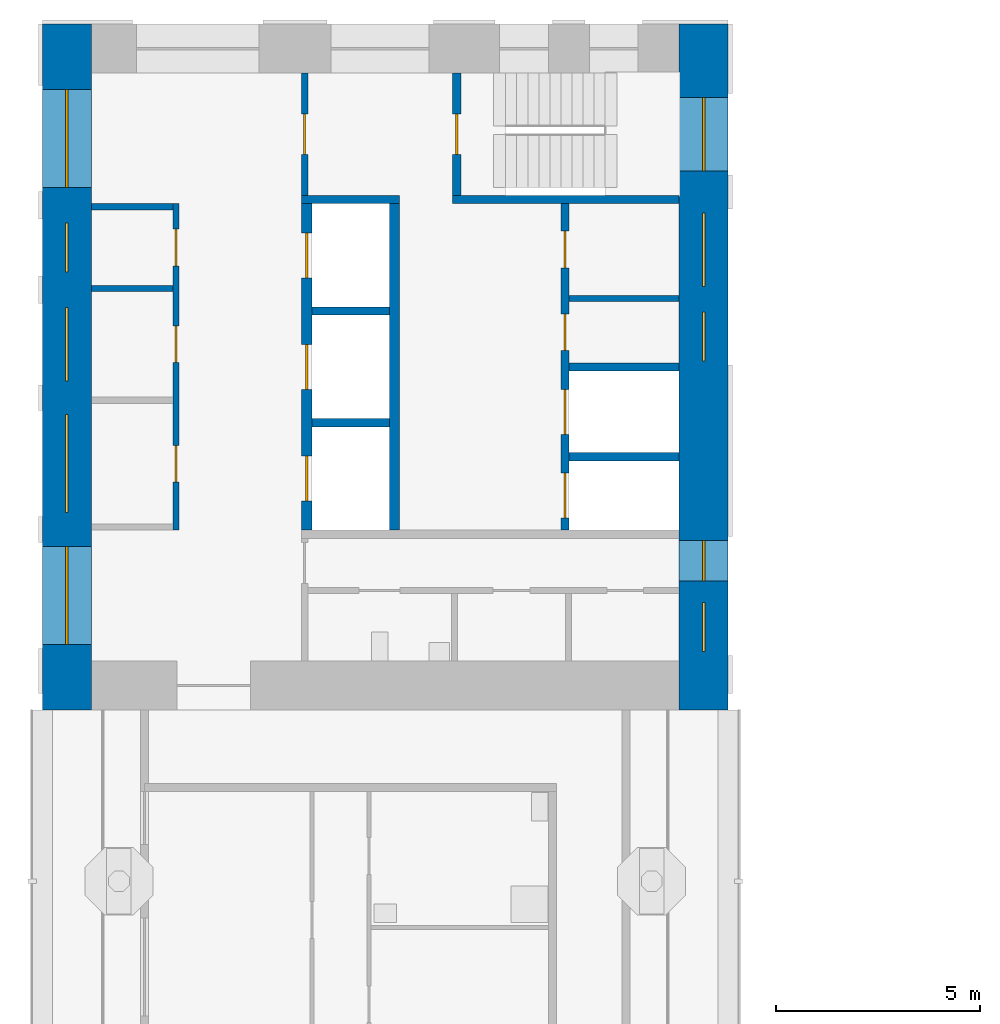
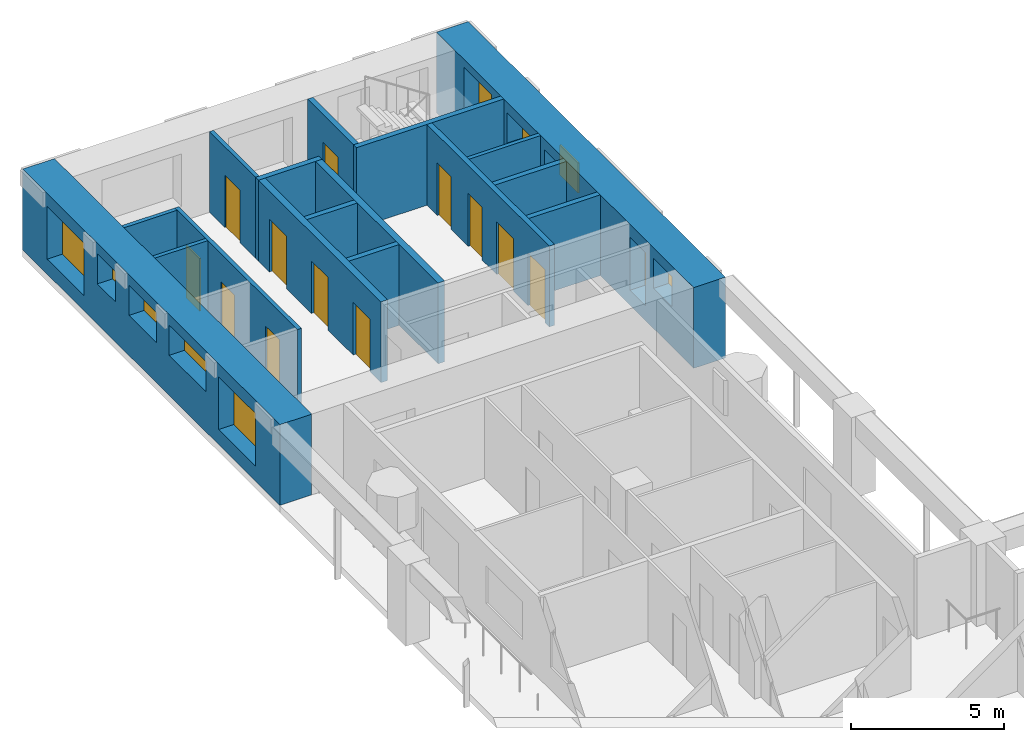
# One storey, part 6 of 13: 17 walls, 12 doors, 10 windows, 22 openings.
"""IFC4 building model written with IfcOpenShell, lengths in metres."""

from ifc_helpers import new_model, si_unit, direction, frame, frame_2d, origin, place, context, subcontext, project, spatial, rectangle, extrude, material, layer, layer_set, type_object, element, fill, save


model = new_model("IFC4")

# Units and contexts
model_context = context("Model", 3, precision=1e-05, world=origin(), true_north=direction((0.0, 1.0)))
body_context = subcontext(model_context, "Body", "Model", "MODEL_VIEW")
ifc_project = project(units=[si_unit("LENGTHUNIT", "METRE"), si_unit("AREAUNIT", "SQUARE_METRE"), si_unit("VOLUMEUNIT", "CUBIC_METRE"), si_unit("PLANEANGLEUNIT", "RADIAN"), si_unit("MASSUNIT", "GRAM", prefix="KILO")], contexts=[model_context])

# Site, building, storey
site_placement = place(None, origin())
site = spatial("IfcSite", under=ifc_project, at=site_placement, CompositionType="ELEMENT")
building_placement = place(site_placement, origin())
building = spatial("IfcBuilding", under=site, at=building_placement, Name="Vermilion Gate Residences", CompositionType="ELEMENT")
storey_placement = place(building_placement, frame((0.0, 0.0, 154.699951171875)))
storey = spatial("IfcBuildingStorey", under=building, at=storey_placement, Name="L39", CompositionType="ELEMENT", Elevation=154.699951171875)

# Walls
ifc_material_1 = material(Name="Masonry blockwork", Category="masonry")
ifc_layer_1 = layer(ifc_material_1, 0.14990234375)
ifc_layer_set_1 = layer_set([ifc_layer_1], Name="BLOCKWORK PARTITION 150 EI 120")
wall_type_1 = type_object("IfcWallType", Name="BLOCKWORK PARTITION 150 EI 120", PredefinedType="PARTITIONING", material=ifc_layer_set_1)
for number, where, z_axis, x_axis, name in (
    (1, (9.60009765625, 54.324951171875, 0.0), (0.0, 0.0, 1.0), (1.0, 0.0, 0.0), "Core room partition B39-RW-W"),
    (2, (9.60009765625, 52.324951171875, 0.0), (0.0, 0.0, 1.0), (1.0, 0.0, 0.0), "Core room partition B39-SR-P0"),
):
    element("IfcWall", number, at=place(storey_placement, frame(where, z_axis=z_axis, x_axis=x_axis)), inside=storey, type_object=wall_type_1, Name=name, PredefinedType="PARTITIONING", context=body_context, shape_type="SweptSolid", body=[
        extrude(rectangle(XDim=2.0, YDim=0.14990234375, at=frame_2d((1.0, 0.0))), origin(), (0.0, 0.0, 1.0), 3.219970703125),
    ])

# Wall, openings, doors
wall_1_placement = place(storey_placement, frame((11.675048828125, 54.39990234375, 0.0), z_axis=(0.0, 0.0, 1.0), x_axis=(0.0, -1.0, 0.0)))
wall_1 = element("IfcWall", 3, at=wall_1_placement, inside=storey, type_object=wall_type_1, Name="Core room partition B39-LR-F", PredefinedType="PARTITIONING", context=body_context, shape_type="SweptSolid", body=[
    extrude(rectangle(XDim=8.0, YDim=0.14990234375, at=frame_2d((4.0, 0.0))), origin(), (0.0, 0.0, 1.0), 3.219970703125),
])
opening_1_placement = place(wall_1_placement, frame((0.625, 0.0, 0.0)))
opening_1 = element("IfcOpeningElement", 4, at=opening_1_placement, cuts=wall_1, Name="Opening DK39102", PredefinedType="OPENING", context=body_context, shape_type="SweptSolid", body=[
    extrude(rectangle(XDim=0.89990234375, YDim=2.10009765625, at=frame_2d((0.449951171875, 1.050048828125))), frame((0.0, 0.0849609375, 0.0), z_axis=(0.0, -1.0, 0.0), x_axis=(1.0, 0.0, 0.0)), (0.0, 0.0, 1.0), 0.169921875),
])
opening_2_placement = place(wall_1_placement, frame((2.9951171875, 0.0, 0.0)))
opening_2 = element("IfcOpeningElement", 5, at=opening_2_placement, cuts=wall_1, Name="Opening DK39103", PredefinedType="OPENING", context=body_context, shape_type="SweptSolid", body=[
    extrude(rectangle(XDim=0.89990234375, YDim=2.10009765625, at=frame_2d((0.449951171875, 1.050048828125))), frame((0.0, 0.0849609375, 0.0), z_axis=(0.0, -1.0, 0.0), x_axis=(1.0, 0.0, 0.0)), (0.0, 0.0, 1.0), 0.169921875),
])
opening_3_placement = place(wall_1_placement, frame((5.919921875, 0.0, 0.0)))
opening_3 = element("IfcOpeningElement", 6, at=opening_3_placement, cuts=wall_1, Name="Opening DK39104", PredefinedType="OPENING", context=body_context, shape_type="SweptSolid", body=[
    extrude(rectangle(XDim=0.89990234375, YDim=2.10009765625, at=frame_2d((0.449951171875, 1.050048828125))), frame((0.0, 0.0849609375, 0.0), z_axis=(0.0, -1.0, 0.0), x_axis=(1.0, 0.0, 0.0)), (0.0, 0.0, 1.0), 0.169921875),
])
ifc_material_2 = material(Name="Steel", Category="steel")
door_type_1 = type_object("IfcDoorType", Name="SERVICE ROOM DOOR FD60 900 X 2100", OperationType="SINGLE_SWING_LEFT", PredefinedType="DOOR", material=ifc_material_2)
door_1_placement = place(opening_1_placement, origin())
door_1 = element("IfcDoor", 7, at=door_1_placement, inside=storey, type_object=door_type_1, Name="Electrical room B39", OperationType="SINGLE_SWING_LEFT", OverallHeight=2.10009765625, OverallWidth=0.89990234375, PredefinedType="DOOR", context=body_context, shape_type="SweptSolid", body=[
    extrude(rectangle(XDim=0.89990234375, YDim=2.10009765625, at=frame_2d((0.449951171875, 1.050048828125))), frame((0.0, 0.02490234375, 0.0), z_axis=(0.0, -1.0, 0.0), x_axis=(1.0, 0.0, 0.0)), (0.0, 0.0, 1.0), 0.050048828125),
])
fill(opening_1, door_1)
door_2_placement = place(opening_2_placement, frame((0.89990234375, 0.0, 0.0), z_axis=(0.0, 0.0, 1.0), x_axis=(-1.0, 0.0, 0.0)))
door_2 = element("IfcDoor", 8, at=door_2_placement, inside=storey, type_object=door_type_1, Name="Communications room B39", OperationType="SINGLE_SWING_LEFT", OverallHeight=2.10009765625, OverallWidth=0.89990234375, PredefinedType="DOOR", context=body_context, shape_type="SweptSolid", body=[
    extrude(rectangle(XDim=0.89990234375, YDim=2.10009765625, at=frame_2d((0.449951171875, 1.050048828125))), frame((0.0, 0.02490234375, 0.0), z_axis=(0.0, -1.0, 0.0), x_axis=(1.0, 0.0, 0.0)), (0.0, 0.0, 1.0), 0.050048828125),
])
fill(opening_2, door_2)
door_3_placement = place(opening_3_placement, frame((0.89990234375, 0.0, 0.0), z_axis=(0.0, 0.0, 1.0), x_axis=(-1.0, 0.0, 0.0)))
door_3 = element("IfcDoor", 9, at=door_3_placement, inside=storey, type_object=door_type_1, Name="Refuse room B39", OperationType="SINGLE_SWING_LEFT", OverallHeight=2.10009765625, OverallWidth=0.89990234375, PredefinedType="DOOR", context=body_context, shape_type="SweptSolid", body=[
    extrude(rectangle(XDim=0.89990234375, YDim=2.10009765625, at=frame_2d((0.449951171875, 1.050048828125))), frame((0.0, 0.02490234375, 0.0), z_axis=(0.0, -1.0, 0.0), x_axis=(1.0, 0.0, 0.0)), (0.0, 0.0, 1.0), 0.050048828125),
])
fill(opening_3, door_3)

# Wall
wall_2_placement = place(storey_placement, frame((21.300048828125, 52.074951171875, 0.0), z_axis=(0.0, 0.0, 1.0), x_axis=(1.0, 0.0, 0.0)))
element("IfcWall", 10, at=wall_2_placement, inside=storey, type_object=wall_type_1, Name="Core room partition B39-NR-P0", PredefinedType="PARTITIONING", context=body_context, shape_type="SweptSolid", body=[
    extrude(rectangle(XDim=2.699951171875, YDim=0.14990234375, at=frame_2d((1.35009765625, 0.0))), origin(), (0.0, 0.0, 1.0), 3.219970703125),
])

# Wall, opening, door
wall_3_placement = place(storey_placement, frame((14.824951171875, 57.60009765625, 0.0), z_axis=(0.0, 0.0, 1.0), x_axis=(0.0, -1.0, 0.0)))
wall_3 = element("IfcWall", 11, at=wall_3_placement, inside=storey, type_object=wall_type_1, Name="Core room partition B39-VW-S", PredefinedType="PARTITIONING", context=body_context, shape_type="SweptSolid", body=[
    extrude(rectangle(XDim=3.0, YDim=0.14990234375, at=frame_2d((1.5, 0.0))), origin(), (0.0, 0.0, 1.0), 3.219970703125),
])
opening_4_placement = place(wall_3_placement, frame((1.0, 0.0, 0.0)))
opening_4 = element("IfcOpeningElement", 12, at=opening_4_placement, cuts=wall_3, Name="Opening DK39112", PredefinedType="OPENING", context=body_context, shape_type="SweptSolid", body=[
    extrude(rectangle(XDim=1.0, YDim=2.10009765625, at=frame_2d((0.5, 1.050048828125))), frame((0.0, 0.0849609375, 0.0), z_axis=(0.0, -1.0, 0.0), x_axis=(1.0, 0.0, 0.0)), (0.0, 0.0, 1.0), 0.169921875),
])
ifc_material_3 = material(Name="Steel", Category="steel")
door_type_2 = type_object("IfcDoorType", Name="FIRE DOOR FD60 1000 X 2100", OperationType="SINGLE_SWING_LEFT", PredefinedType="DOOR", material=ifc_material_3)
door_4_placement = place(opening_4_placement, frame((1.0, 0.0, 0.0), z_axis=(0.0, 0.0, 1.0), x_axis=(-1.0, 0.0, 0.0)))
door_4 = element("IfcDoor", 13, at=door_4_placement, inside=storey, type_object=door_type_2, Name="Stair vestibule door B39", OperationType="SINGLE_SWING_RIGHT", OverallHeight=2.10009765625, OverallWidth=1.0, PredefinedType="DOOR", context=body_context, shape_type="SweptSolid", body=[
    extrude(rectangle(XDim=1.0, YDim=2.10009765625, at=frame_2d((0.5, 1.050048828125))), frame((0.0, 0.02490234375, 0.0), z_axis=(0.0, -1.0, 0.0), x_axis=(1.0, 0.0, 0.0)), (0.0, 0.0, 1.0), 0.050048828125),
])
fill(opening_4, door_4)

# Walls
ifc_material_4 = material(Name="Concrete C60", Category="concrete")
ifc_layer_2 = layer(ifc_material_4, 0.199951171875)
ifc_layer_set_2 = layer_set([ifc_layer_2], Name="RC CORE INTERNAL WALL 200 C60")
wall_type_2 = type_object("IfcWallType", Name="RC CORE INTERNAL WALL 200 C60", PredefinedType="SHEAR", material=ifc_layer_set_2)
for number, where, z_axis, x_axis, name in (
    (14, (15.0, 51.7666015625, 0.0), (0.0, 0.0, 1.0), (1.0, 0.0, 0.0), "Core internal wall B39-HR-D1"),
    (15, (15.0, 49.033447265625, 0.0), (0.0, 0.0, 1.0), (1.0, 0.0, 0.0), "Core internal wall B39-HR-D2"),
):
    element("IfcWall", number, at=place(storey_placement, frame(where, z_axis=z_axis, x_axis=x_axis)), inside=storey, type_object=wall_type_2, Name=name, PredefinedType="SHEAR", context=body_context, shape_type="SweptSolid", body=[
        extrude(rectangle(XDim=1.89990234375, YDim=0.199951171875, at=frame_2d((0.949951171875, 0.0))), origin(), (0.0, 0.0, 1.0), 3.219970703125),
    ])
for number, where, z_axis, x_axis, name in (
    (16, (21.300048828125, 50.39990234375, 0.0), (0.0, 0.0, 1.0), (1.0, 0.0, 0.0), "Core internal wall B39-FF-D0"),
    (17, (21.300048828125, 48.199951171875, 0.0), (0.0, 0.0, 1.0), (1.0, 0.0, 0.0), "Core internal wall B39-FF-D1"),
):
    element("IfcWall", number, at=place(storey_placement, frame(where, z_axis=z_axis, x_axis=x_axis)), inside=storey, type_object=wall_type_2, Name=name, PredefinedType="SHEAR", context=body_context, shape_type="SweptSolid", body=[
        extrude(rectangle(XDim=2.699951171875, YDim=0.199951171875, at=frame_2d((1.35009765625, 0.0))), origin(), (0.0, 0.0, 1.0), 3.219970703125),
    ])

# Wall, openings, doors
wall_4_placement = place(storey_placement, frame((21.199951171875, 54.39990234375, 0.0), z_axis=(0.0, 0.0, 1.0), x_axis=(0.0, -1.0, 0.0)))
wall_4 = element("IfcWall", 18, at=wall_4_placement, inside=storey, type_object=wall_type_2, Name="Core internal wall B39-FF-F", PredefinedType="SHEAR", context=body_context, shape_type="SweptSolid", body=[
    extrude(rectangle(XDim=8.0, YDim=0.199951171875, at=frame_2d((4.0, 0.0))), origin(), (0.0, 0.0, 1.0), 3.219970703125),
])
opening_5_placement = place(wall_4_placement, frame((0.675048828125, 0.0, 0.0)))
opening_5 = element("IfcOpeningElement", 19, at=opening_5_placement, cuts=wall_4, Name="Opening DK39108", PredefinedType="OPENING", context=body_context, shape_type="SweptSolid", body=[
    extrude(rectangle(XDim=0.89990234375, YDim=2.10009765625, at=frame_2d((0.449951171875, 1.050048828125))), frame((0.0, 0.10986328125, 0.0), z_axis=(0.0, -1.0, 0.0), x_axis=(1.0, 0.0, 0.0)), (0.0, 0.0, 1.0), 0.219970703125),
])
opening_6_placement = place(wall_4_placement, frame((2.699951171875, 0.0, 0.0)))
opening_6 = element("IfcOpeningElement", 20, at=opening_6_placement, cuts=wall_4, Name="Opening DK39109", PredefinedType="OPENING", context=body_context, shape_type="SweptSolid", body=[
    extrude(rectangle(XDim=0.89990234375, YDim=2.10009765625, at=frame_2d((0.449951171875, 1.050048828125))), frame((0.0, 0.10986328125, 0.0), z_axis=(0.0, -1.0, 0.0), x_axis=(1.0, 0.0, 0.0)), (0.0, 0.0, 1.0), 0.219970703125),
])
opening_7_placement = place(wall_4_placement, frame((4.550048828125, 0.0, 0.0)))
opening_7 = element("IfcOpeningElement", 21, at=opening_7_placement, cuts=wall_4, Name="Opening LD", PredefinedType="OPENING", context=body_context, shape_type="SweptSolid", body=[
    extrude(rectangle(XDim=1.10009765625, YDim=2.10009765625, at=frame_2d((0.550048828125, 1.050048828125))), frame((0.0, 0.10986328125, 0.0), z_axis=(0.0, -1.0, 0.0), x_axis=(1.0, 0.0, 0.0)), (0.0, 0.0, 1.0), 0.219970703125),
])
opening_8_placement = place(wall_4_placement, frame((6.60009765625, 0.0, 0.0)))
opening_8 = element("IfcOpeningElement", 22, at=opening_8_placement, cuts=wall_4, Name="Opening LD", PredefinedType="OPENING", context=body_context, shape_type="SweptSolid", body=[
    extrude(rectangle(XDim=1.10009765625, YDim=2.10009765625, at=frame_2d((0.550048828125, 1.050048828125))), frame((0.0, 0.10986328125, 0.0), z_axis=(0.0, -1.0, 0.0), x_axis=(1.0, 0.0, 0.0)), (0.0, 0.0, 1.0), 0.219970703125),
])
ifc_material_5 = material(Name="Stainless steel", Category="steel")
door_type_3 = type_object("IfcDoorType", Name="LIFT LANDING DOOR E60 1100 X 2100", OperationType="DOUBLE_DOOR_SLIDING", PredefinedType="DOOR", material=ifc_material_5)
door_5_placement = place(opening_7_placement, origin())
door_5 = element("IfcDoor", 23, at=door_5_placement, inside=storey, type_object=door_type_3, Name="Lift landing door LFB1", OperationType="DOUBLE_DOOR_SLIDING", OverallHeight=2.10009765625, OverallWidth=1.10009765625, PredefinedType="DOOR", context=body_context, shape_type="SweptSolid", body=[
    extrude(rectangle(XDim=1.10009765625, YDim=2.10009765625, at=frame_2d((0.550048828125, 1.050048828125))), frame((0.0, 0.02490234375, 0.0), z_axis=(0.0, -1.0, 0.0), x_axis=(1.0, 0.0, 0.0)), (0.0, 0.0, 1.0), 0.050048828125),
])
fill(opening_7, door_5)
door_6_placement = place(opening_8_placement, origin())
door_6 = element("IfcDoor", 24, at=door_6_placement, inside=storey, type_object=door_type_3, Name="Lift landing door LCB1", OperationType="DOUBLE_DOOR_SLIDING", OverallHeight=2.10009765625, OverallWidth=1.10009765625, PredefinedType="DOOR", context=body_context, shape_type="SweptSolid", body=[
    extrude(rectangle(XDim=1.10009765625, YDim=2.10009765625, at=frame_2d((0.550048828125, 1.050048828125))), frame((0.0, 0.02490234375, 0.0), z_axis=(0.0, -1.0, 0.0), x_axis=(1.0, 0.0, 0.0)), (0.0, 0.0, 1.0), 0.050048828125),
])
fill(opening_8, door_6)
door_7_placement = place(opening_5_placement, origin())
door_7 = element("IfcDoor", 25, at=door_7_placement, inside=storey, type_object=door_type_1, Name="Electrical riser B39", OperationType="SINGLE_SWING_RIGHT", OverallHeight=2.10009765625, OverallWidth=0.89990234375, PredefinedType="DOOR", context=body_context, shape_type="SweptSolid", body=[
    extrude(rectangle(XDim=0.89990234375, YDim=2.10009765625, at=frame_2d((0.449951171875, 1.050048828125))), frame((0.0, 0.02490234375, 0.0), z_axis=(0.0, -1.0, 0.0), x_axis=(1.0, 0.0, 0.0)), (0.0, 0.0, 1.0), 0.050048828125),
])
fill(opening_5, door_7)
door_8_placement = place(opening_6_placement, origin())
door_8 = element("IfcDoor", 26, at=door_8_placement, inside=storey, type_object=door_type_1, Name="Cleaner's store B39", OperationType="SINGLE_SWING_RIGHT", OverallHeight=2.10009765625, OverallWidth=0.89990234375, PredefinedType="DOOR", context=body_context, shape_type="SweptSolid", body=[
    extrude(rectangle(XDim=0.89990234375, YDim=2.10009765625, at=frame_2d((0.449951171875, 1.050048828125))), frame((0.0, 0.02490234375, 0.0), z_axis=(0.0, -1.0, 0.0), x_axis=(1.0, 0.0, 0.0)), (0.0, 0.0, 1.0), 0.050048828125),
])
fill(opening_6, door_8)

# Walls
wall_5_placement = place(storey_placement, frame((14.75, 54.5, 0.0), z_axis=(0.0, 0.0, 1.0), x_axis=(1.0, 0.0, 0.0)))
element("IfcWall", 27, at=wall_5_placement, inside=storey, type_object=wall_type_2, Name="Core internal wall B39-WDIV1", PredefinedType="SHEAR", context=body_context, shape_type="SweptSolid", body=[
    extrude(rectangle(XDim=2.39990234375, YDim=0.199951171875, at=frame_2d((1.199951171875, 0.0))), origin(), (0.0, 0.0, 1.0), 3.219970703125),
])
wall_6_placement = place(storey_placement, frame((18.449951171875, 54.5, 0.0), z_axis=(0.0, 0.0, 1.0), x_axis=(1.0, 0.0, 0.0)))
element("IfcWall", 28, at=wall_6_placement, inside=storey, type_object=wall_type_2, Name="Core internal wall B39-WDIV2", PredefinedType="SHEAR", context=body_context, shape_type="SweptSolid", body=[
    extrude(rectangle(XDim=5.550048828125, YDim=0.199951171875, at=frame_2d((2.77490234375, 0.0))), origin(), (0.0, 0.0, 1.0), 3.219970703125),
])

# Wall, opening, door
wall_7_placement = place(storey_placement, frame((18.550048828125, 57.60009765625, 0.0), z_axis=(0.0, 0.0, 1.0), x_axis=(0.0, -1.0, 0.0)))
wall_7 = element("IfcWall", 29, at=wall_7_placement, inside=storey, type_object=wall_type_2, Name="Core internal wall B39-STW-S", PredefinedType="SHEAR", context=body_context, shape_type="SweptSolid", body=[
    extrude(rectangle(XDim=3.0, YDim=0.199951171875, at=frame_2d((1.5, 0.0))), origin(), (0.0, 0.0, 1.0), 3.219970703125),
])
opening_9_placement = place(wall_7_placement, frame((1.0, 0.0, 0.0)))
opening_9 = element("IfcOpeningElement", 30, at=opening_9_placement, cuts=wall_7, Name="Opening DK39113", PredefinedType="OPENING", context=body_context, shape_type="SweptSolid", body=[
    extrude(rectangle(XDim=1.0, YDim=2.10009765625, at=frame_2d((0.5, 1.050048828125))), frame((0.0, 0.10986328125, 0.0), z_axis=(0.0, -1.0, 0.0), x_axis=(1.0, 0.0, 0.0)), (0.0, 0.0, 1.0), 0.219970703125),
])
door_9_placement = place(opening_9_placement, origin())
door_9 = element("IfcDoor", 31, at=door_9_placement, inside=storey, type_object=door_type_2, Name="Stair door B39", OperationType="SINGLE_SWING_LEFT", OverallHeight=2.10009765625, OverallWidth=1.0, PredefinedType="DOOR", context=body_context, shape_type="SweptSolid", body=[
    extrude(rectangle(XDim=1.0, YDim=2.10009765625, at=frame_2d((0.5, 1.050048828125))), frame((0.0, 0.02490234375, 0.0), z_axis=(0.0, -1.0, 0.0), x_axis=(1.0, 0.0, 0.0)), (0.0, 0.0, 1.0), 0.050048828125),
])
fill(opening_9, door_9)

# Wall, openings, windows
ifc_material_6 = material(Name="Concrete C60 red-oxide pigmented", Category="concrete")
ifc_layer_3 = layer(ifc_material_6, 1.199951171875)
ifc_layer_set_3 = layer_set([ifc_layer_3], Name="RC CORE WALL 1200 C60 RED OXIDE")
wall_type_3 = type_object("IfcWallType", Name="RC CORE WALL 1200 C60 RED OXIDE", PredefinedType="SHEAR", material=ifc_layer_set_3)
wall_8_placement = place(storey_placement, frame((9.0, 58.800048828125, 0.0), z_axis=(0.0, 0.0, 1.0), x_axis=(0.0, -1.0, 0.0)))
wall_8 = element("IfcWall", 32, at=wall_8_placement, inside=storey, type_object=wall_type_3, Name="Core wall B39-OUT-B0", PredefinedType="SHEAR", context=body_context, shape_type="SweptSolid", body=[
    extrude(rectangle(XDim=16.800048828125, YDim=1.199951171875, at=frame_2d((8.39990234375, 0.0))), origin(), (0.0, 0.0, 1.0), 3.219970703125),
])
opening_10_placement = place(wall_8_placement, frame((1.60009765625, 0.0, 0.60009765625)))
opening_10 = element("IfcOpeningElement", 33, at=opening_10_placement, cuts=wall_8, Name="Opening WKB3901", PredefinedType="OPENING", context=body_context, shape_type="SweptSolid", body=[
    extrude(rectangle(XDim=2.39990234375, YDim=2.10009765625, at=frame_2d((1.199951171875, 1.050048828125))), frame((0.0, 0.60986328125, 0.0), z_axis=(0.0, -1.0, 0.0), x_axis=(1.0, 0.0, 0.0)), (0.0, 0.0, 1.0), 1.219970703125),
])
opening_11_placement = place(wall_8_placement, frame((4.875, 0.0, 1.60009765625)))
opening_11 = element("IfcOpeningElement", 34, at=opening_11_placement, cuts=wall_8, Name="Opening WKB3902", PredefinedType="OPENING", context=body_context, shape_type="SweptSolid", body=[
    extrude(rectangle(XDim=1.199951171875, YDim=1.199951171875, at=frame_2d((0.60009765625, 0.60009765625))), frame((0.0, 0.60986328125, 0.0), z_axis=(0.0, -1.0, 0.0), x_axis=(1.0, 0.0, 0.0)), (0.0, 0.0, 1.0), 1.219970703125),
])
opening_12_placement = place(wall_8_placement, frame((6.945068359375, 0.0, 1.60009765625)))
opening_12 = element("IfcOpeningElement", 35, at=opening_12_placement, cuts=wall_8, Name="Opening WKB3903", PredefinedType="OPENING", context=body_context, shape_type="SweptSolid", body=[
    extrude(rectangle(XDim=1.800048828125, YDim=1.199951171875, at=frame_2d((0.89990234375, 0.60009765625))), frame((0.0, 0.60986328125, 0.0), z_axis=(0.0, -1.0, 0.0), x_axis=(1.0, 0.0, 0.0)), (0.0, 0.0, 1.0), 1.219970703125),
])
opening_13_placement = place(wall_8_placement, frame((9.570068359375, 0.0, 1.60009765625)))
opening_13 = element("IfcOpeningElement", 36, at=opening_13_placement, cuts=wall_8, Name="Opening WKB3904", PredefinedType="OPENING", context=body_context, shape_type="SweptSolid", body=[
    extrude(rectangle(XDim=2.39990234375, YDim=1.199951171875, at=frame_2d((1.199951171875, 0.60009765625))), frame((0.0, 0.60986328125, 0.0), z_axis=(0.0, -1.0, 0.0), x_axis=(1.0, 0.0, 0.0)), (0.0, 0.0, 1.0), 1.219970703125),
])
opening_14_placement = place(wall_8_placement, frame((12.800048828125, 0.0, 0.60009765625)))
opening_14 = element("IfcOpeningElement", 37, at=opening_14_placement, cuts=wall_8, Name="Opening WKB3905", PredefinedType="OPENING", context=body_context, shape_type="SweptSolid", body=[
    extrude(rectangle(XDim=2.39990234375, YDim=2.10009765625, at=frame_2d((1.199951171875, 1.050048828125))), frame((0.0, 0.60986328125, 0.0), z_axis=(0.0, -1.0, 0.0), x_axis=(1.0, 0.0, 0.0)), (0.0, 0.0, 1.0), 1.219970703125),
])
ifc_material_7 = material(Name="Aluminium and clear glass", Category="aluminium")
window_type_1 = type_object("IfcWindowType", Name="CORE LOBBY WINDOW 2400 X 2100", PartitioningType="SINGLE_PANEL", PredefinedType="WINDOW", material=ifc_material_7)
window_1_placement = place(opening_10_placement, origin())
window_1 = element("IfcWindow", 38, at=window_1_placement, inside=storey, type_object=window_type_1, Name="Core lobby window", OverallHeight=2.10009765625, OverallWidth=2.39990234375, PartitioningType="SINGLE_PANEL", PredefinedType="WINDOW", context=body_context, shape_type="SweptSolid", body=[
    extrude(rectangle(XDim=2.39990234375, YDim=2.10009765625, at=frame_2d((1.199951171875, 1.050048828125))), frame((0.0, 0.030029296875, 0.0), z_axis=(0.0, -1.0, 0.0), x_axis=(1.0, 0.0, 0.0)), (0.0, 0.0, 1.0), 0.06005859375),
])
fill(opening_10, window_1)
window_2_placement = place(opening_14_placement, origin())
window_2 = element("IfcWindow", 39, at=window_2_placement, inside=storey, type_object=window_type_1, Name="Core lobby window", OverallHeight=2.10009765625, OverallWidth=2.39990234375, PartitioningType="SINGLE_PANEL", PredefinedType="WINDOW", context=body_context, shape_type="SweptSolid", body=[
    extrude(rectangle(XDim=2.39990234375, YDim=2.10009765625, at=frame_2d((1.199951171875, 1.050048828125))), frame((0.0, 0.030029296875, 0.0), z_axis=(0.0, -1.0, 0.0), x_axis=(1.0, 0.0, 0.0)), (0.0, 0.0, 1.0), 0.06005859375),
])
fill(opening_14, window_2)
ifc_material_8 = material(Name="Aluminium frame with louvre blades", Category="aluminium")
window_type_2 = type_object("IfcWindowType", Name="CORE LOUVRE 1200 X 1200", PartitioningType="SINGLE_PANEL", PredefinedType="WINDOW", material=ifc_material_8)
window_3_placement = place(opening_11_placement, origin())
window_3 = element("IfcWindow", 40, at=window_3_placement, inside=storey, type_object=window_type_2, Name="Core louvre", OverallHeight=1.199951171875, OverallWidth=1.199951171875, PartitioningType="SINGLE_PANEL", PredefinedType="WINDOW", context=body_context, shape_type="SweptSolid", body=[
    extrude(rectangle(XDim=1.199951171875, YDim=1.199951171875, at=frame_2d((0.60009765625, 0.60009765625))), frame((0.0, 0.030029296875, 0.0), z_axis=(0.0, -1.0, 0.0), x_axis=(1.0, 0.0, 0.0)), (0.0, 0.0, 1.0), 0.06005859375),
])
fill(opening_11, window_3)
ifc_material_9 = material(Name="Aluminium frame with louvre blades", Category="aluminium")
window_type_3 = type_object("IfcWindowType", Name="CORE LOUVRE 1800 X 1200", PartitioningType="SINGLE_PANEL", PredefinedType="WINDOW", material=ifc_material_9)
window_4_placement = place(opening_12_placement, origin())
window_4 = element("IfcWindow", 41, at=window_4_placement, inside=storey, type_object=window_type_3, Name="Core louvre", OverallHeight=1.199951171875, OverallWidth=1.800048828125, PartitioningType="SINGLE_PANEL", PredefinedType="WINDOW", context=body_context, shape_type="SweptSolid", body=[
    extrude(rectangle(XDim=1.800048828125, YDim=1.199951171875, at=frame_2d((0.89990234375, 0.60009765625))), frame((0.0, 0.030029296875, 0.0), z_axis=(0.0, -1.0, 0.0), x_axis=(1.0, 0.0, 0.0)), (0.0, 0.0, 1.0), 0.06005859375),
])
fill(opening_12, window_4)
ifc_material_10 = material(Name="Aluminium frame with louvre blades", Category="aluminium")
window_type_4 = type_object("IfcWindowType", Name="CORE LOUVRE 2400 X 1200", PartitioningType="SINGLE_PANEL", PredefinedType="WINDOW", material=ifc_material_10)
window_5_placement = place(opening_13_placement, origin())
window_5 = element("IfcWindow", 42, at=window_5_placement, inside=storey, type_object=window_type_4, Name="Core louvre", OverallHeight=1.199951171875, OverallWidth=2.39990234375, PartitioningType="SINGLE_PANEL", PredefinedType="WINDOW", context=body_context, shape_type="SweptSolid", body=[
    extrude(rectangle(XDim=2.39990234375, YDim=1.199951171875, at=frame_2d((1.199951171875, 0.60009765625))), frame((0.0, 0.030029296875, 0.0), z_axis=(0.0, -1.0, 0.0), x_axis=(1.0, 0.0, 0.0)), (0.0, 0.0, 1.0), 0.06005859375),
])
fill(opening_13, window_5)

wall_9_placement = place(storey_placement, frame((24.60009765625, 58.800048828125, 0.0), z_axis=(0.0, 0.0, 1.0), x_axis=(0.0, -1.0, 0.0)))
wall_9 = element("IfcWall", 43, at=wall_9_placement, inside=storey, type_object=wall_type_3, Name="Core wall B39-OUT-B1", PredefinedType="SHEAR", context=body_context, shape_type="SweptSolid", body=[
    extrude(rectangle(XDim=16.800048828125, YDim=1.199951171875, at=frame_2d((8.39990234375, 0.0))), origin(), (0.0, 0.0, 1.0), 3.219970703125),
])
opening_15_placement = place(wall_9_placement, frame((1.800048828125, 0.0, 0.5)))
opening_15 = element("IfcOpeningElement", 44, at=opening_15_placement, cuts=wall_9, Name="Opening WKB3906", PredefinedType="OPENING", context=body_context, shape_type="SweptSolid", body=[
    extrude(rectangle(XDim=1.800048828125, YDim=2.39990234375, at=frame_2d((0.89990234375, 1.199951171875))), frame((0.0, 0.60986328125, 0.0), z_axis=(0.0, -1.0, 0.0), x_axis=(1.0, 0.0, 0.0)), (0.0, 0.0, 1.0), 1.219970703125),
])
opening_16_placement = place(wall_9_placement, frame((4.625, 0.0, 1.60009765625)))
opening_16 = element("IfcOpeningElement", 45, at=opening_16_placement, cuts=wall_9, Name="Opening WKB3907", PredefinedType="OPENING", context=body_context, shape_type="SweptSolid", body=[
    extrude(rectangle(XDim=1.800048828125, YDim=1.199951171875, at=frame_2d((0.89990234375, 0.60009765625))), frame((0.0, 0.60986328125, 0.0), z_axis=(0.0, -1.0, 0.0), x_axis=(1.0, 0.0, 0.0)), (0.0, 0.0, 1.0), 1.219970703125),
])
opening_17_placement = place(wall_9_placement, frame((7.050048828125, 0.0, 1.60009765625)))
opening_17 = element("IfcOpeningElement", 46, at=opening_17_placement, cuts=wall_9, Name="Opening WKB3908", PredefinedType="OPENING", context=body_context, shape_type="SweptSolid", body=[
    extrude(rectangle(XDim=1.199951171875, YDim=1.199951171875, at=frame_2d((0.60009765625, 0.60009765625))), frame((0.0, 0.60986328125, 0.0), z_axis=(0.0, -1.0, 0.0), x_axis=(1.0, 0.0, 0.0)), (0.0, 0.0, 1.0), 1.219970703125),
])
opening_18_placement = place(wall_9_placement, frame((12.64990234375, 0.0, 0.60009765625)))
opening_18 = element("IfcOpeningElement", 47, at=opening_18_placement, cuts=wall_9, Name="Opening WKB3909", PredefinedType="OPENING", context=body_context, shape_type="SweptSolid", body=[
    extrude(rectangle(XDim=1.0, YDim=2.10009765625, at=frame_2d((0.5, 1.050048828125))), frame((0.0, 0.60986328125, 0.0), z_axis=(0.0, -1.0, 0.0), x_axis=(1.0, 0.0, 0.0)), (0.0, 0.0, 1.0), 1.219970703125),
])
opening_19_placement = place(wall_9_placement, frame((14.175048828125, 0.0, 1.60009765625)))
opening_19 = element("IfcOpeningElement", 48, at=opening_19_placement, cuts=wall_9, Name="Opening WKB3910", PredefinedType="OPENING", context=body_context, shape_type="SweptSolid", body=[
    extrude(rectangle(XDim=1.199951171875, YDim=1.199951171875, at=frame_2d((0.60009765625, 0.60009765625))), frame((0.0, 0.60986328125, 0.0), z_axis=(0.0, -1.0, 0.0), x_axis=(1.0, 0.0, 0.0)), (0.0, 0.0, 1.0), 1.219970703125),
])
ifc_material_11 = material(Name="Aluminium and clear glass", Category="aluminium")
window_type_5 = type_object("IfcWindowType", Name="CORE CORRIDOR WINDOW 1000 X 2100", PartitioningType="SINGLE_PANEL", PredefinedType="WINDOW", material=ifc_material_11)
window_6_placement = place(opening_18_placement, origin())
window_6 = element("IfcWindow", 49, at=window_6_placement, inside=storey, type_object=window_type_5, Name="Core corridor window", OverallHeight=2.10009765625, OverallWidth=1.0, PartitioningType="SINGLE_PANEL", PredefinedType="WINDOW", context=body_context, shape_type="SweptSolid", body=[
    extrude(rectangle(XDim=1.0, YDim=2.10009765625, at=frame_2d((0.5, 1.050048828125))), frame((0.0, 0.030029296875, 0.0), z_axis=(0.0, -1.0, 0.0), x_axis=(1.0, 0.0, 0.0)), (0.0, 0.0, 1.0), 0.06005859375),
])
fill(opening_18, window_6)
window_7_placement = place(opening_17_placement, origin())
window_7 = element("IfcWindow", 50, at=window_7_placement, inside=storey, type_object=window_type_2, Name="Core louvre", OverallHeight=1.199951171875, OverallWidth=1.199951171875, PartitioningType="SINGLE_PANEL", PredefinedType="WINDOW", context=body_context, shape_type="SweptSolid", body=[
    extrude(rectangle(XDim=1.199951171875, YDim=1.199951171875, at=frame_2d((0.60009765625, 0.60009765625))), frame((0.0, 0.030029296875, 0.0), z_axis=(0.0, -1.0, 0.0), x_axis=(1.0, 0.0, 0.0)), (0.0, 0.0, 1.0), 0.06005859375),
])
fill(opening_17, window_7)
window_8_placement = place(opening_19_placement, origin())
window_8 = element("IfcWindow", 51, at=window_8_placement, inside=storey, type_object=window_type_2, Name="Core louvre", OverallHeight=1.199951171875, OverallWidth=1.199951171875, PartitioningType="SINGLE_PANEL", PredefinedType="WINDOW", context=body_context, shape_type="SweptSolid", body=[
    extrude(rectangle(XDim=1.199951171875, YDim=1.199951171875, at=frame_2d((0.60009765625, 0.60009765625))), frame((0.0, 0.030029296875, 0.0), z_axis=(0.0, -1.0, 0.0), x_axis=(1.0, 0.0, 0.0)), (0.0, 0.0, 1.0), 0.06005859375),
])
fill(opening_19, window_8)
window_9_placement = place(opening_16_placement, origin())
window_9 = element("IfcWindow", 52, at=window_9_placement, inside=storey, type_object=window_type_3, Name="Core louvre", OverallHeight=1.199951171875, OverallWidth=1.800048828125, PartitioningType="SINGLE_PANEL", PredefinedType="WINDOW", context=body_context, shape_type="SweptSolid", body=[
    extrude(rectangle(XDim=1.800048828125, YDim=1.199951171875, at=frame_2d((0.89990234375, 0.60009765625))), frame((0.0, 0.030029296875, 0.0), z_axis=(0.0, -1.0, 0.0), x_axis=(1.0, 0.0, 0.0)), (0.0, 0.0, 1.0), 0.06005859375),
])
fill(opening_16, window_9)
ifc_material_12 = material(Name="Aluminium and clear glass", Category="aluminium")
window_type_6 = type_object("IfcWindowType", Name="CORE STAIR WINDOW 1800 X 2400", PartitioningType="SINGLE_PANEL", PredefinedType="WINDOW", material=ifc_material_12)
window_10_placement = place(opening_15_placement, origin())
window_10 = element("IfcWindow", 53, at=window_10_placement, inside=storey, type_object=window_type_6, Name="Core stair window", OverallHeight=2.39990234375, OverallWidth=1.800048828125, PartitioningType="SINGLE_PANEL", PredefinedType="WINDOW", context=body_context, shape_type="SweptSolid", body=[
    extrude(rectangle(XDim=1.800048828125, YDim=2.39990234375, at=frame_2d((0.89990234375, 1.199951171875))), frame((0.0, 0.030029296875, 0.0), z_axis=(0.0, -1.0, 0.0), x_axis=(1.0, 0.0, 0.0)), (0.0, 0.0, 1.0), 0.06005859375),
])
fill(opening_15, window_10)

# Wall, openings, doors
ifc_material_13 = material(Name="Concrete C60", Category="concrete")
ifc_layer_4 = layer(ifc_material_13, 0.25)
ifc_layer_set_4 = layer_set([ifc_layer_4], Name="RC LIFT SHAFT WALL 250 C60")
wall_type_4 = type_object("IfcWallType", Name="RC LIFT SHAFT WALL 250 C60", PredefinedType="SHEAR", material=ifc_layer_set_4)
wall_10_placement = place(storey_placement, frame((14.875, 54.39990234375, 0.0), z_axis=(0.0, 0.0, 1.0), x_axis=(0.0, -1.0, 0.0)))
wall_10 = element("IfcWall", 54, at=wall_10_placement, inside=storey, type_object=wall_type_4, Name="Lift shaft wall B39-HR-F", PredefinedType="SHEAR", context=body_context, shape_type="SweptSolid", body=[
    extrude(rectangle(XDim=8.0, YDim=0.25, at=frame_2d((4.0, 0.0))), origin(), (0.0, 0.0, 1.0), 3.219970703125),
])
opening_20_placement = place(wall_10_placement, frame((0.716552734375, 0.0, 0.0)))
opening_20 = element("IfcOpeningElement", 55, at=opening_20_placement, cuts=wall_10, Name="Opening LD", PredefinedType="OPENING", context=body_context, shape_type="SweptSolid", body=[
    extrude(rectangle(XDim=1.10009765625, YDim=2.10009765625, at=frame_2d((0.550048828125, 1.050048828125))), frame((0.0, 0.135009765625, 0.0), z_axis=(0.0, -1.0, 0.0), x_axis=(1.0, 0.0, 0.0)), (0.0, 0.0, 1.0), 0.27001953125),
])
opening_21_placement = place(wall_10_placement, frame((3.449951171875, 0.0, 0.0)))
opening_21 = element("IfcOpeningElement", 56, at=opening_21_placement, cuts=wall_10, Name="Opening LD", PredefinedType="OPENING", context=body_context, shape_type="SweptSolid", body=[
    extrude(rectangle(XDim=1.10009765625, YDim=2.10009765625, at=frame_2d((0.550048828125, 1.050048828125))), frame((0.0, 0.135009765625, 0.0), z_axis=(0.0, -1.0, 0.0), x_axis=(1.0, 0.0, 0.0)), (0.0, 0.0, 1.0), 0.27001953125),
])
opening_22_placement = place(wall_10_placement, frame((6.183349609375, 0.0, 0.0)))
opening_22 = element("IfcOpeningElement", 57, at=opening_22_placement, cuts=wall_10, Name="Opening LD", PredefinedType="OPENING", context=body_context, shape_type="SweptSolid", body=[
    extrude(rectangle(XDim=1.10009765625, YDim=2.10009765625, at=frame_2d((0.550048828125, 1.050048828125))), frame((0.0, 0.135009765625, 0.0), z_axis=(0.0, -1.0, 0.0), x_axis=(1.0, 0.0, 0.0)), (0.0, 0.0, 1.0), 0.27001953125),
])
door_10_placement = place(opening_20_placement, origin())
door_10 = element("IfcDoor", 58, at=door_10_placement, inside=storey, type_object=door_type_3, Name="Lift landing door HRB1", OperationType="DOUBLE_DOOR_SLIDING", OverallHeight=2.10009765625, OverallWidth=1.10009765625, PredefinedType="DOOR", context=body_context, shape_type="SweptSolid", body=[
    extrude(rectangle(XDim=1.10009765625, YDim=2.10009765625, at=frame_2d((0.550048828125, 1.050048828125))), frame((0.0, 0.02490234375, 0.0), z_axis=(0.0, -1.0, 0.0), x_axis=(1.0, 0.0, 0.0)), (0.0, 0.0, 1.0), 0.050048828125),
])
fill(opening_20, door_10)
door_11_placement = place(opening_21_placement, origin())
door_11 = element("IfcDoor", 59, at=door_11_placement, inside=storey, type_object=door_type_3, Name="Lift landing door HRB2", OperationType="DOUBLE_DOOR_SLIDING", OverallHeight=2.10009765625, OverallWidth=1.10009765625, PredefinedType="DOOR", context=body_context, shape_type="SweptSolid", body=[
    extrude(rectangle(XDim=1.10009765625, YDim=2.10009765625, at=frame_2d((0.550048828125, 1.050048828125))), frame((0.0, 0.02490234375, 0.0), z_axis=(0.0, -1.0, 0.0), x_axis=(1.0, 0.0, 0.0)), (0.0, 0.0, 1.0), 0.050048828125),
])
fill(opening_21, door_11)
door_12_placement = place(opening_22_placement, origin())
door_12 = element("IfcDoor", 60, at=door_12_placement, inside=storey, type_object=door_type_3, Name="Lift landing door HRB3", OperationType="DOUBLE_DOOR_SLIDING", OverallHeight=2.10009765625, OverallWidth=1.10009765625, PredefinedType="DOOR", context=body_context, shape_type="SweptSolid", body=[
    extrude(rectangle(XDim=1.10009765625, YDim=2.10009765625, at=frame_2d((0.550048828125, 1.050048828125))), frame((0.0, 0.02490234375, 0.0), z_axis=(0.0, -1.0, 0.0), x_axis=(1.0, 0.0, 0.0)), (0.0, 0.0, 1.0), 0.050048828125),
])
fill(opening_22, door_12)

# Wall
wall_11_placement = place(storey_placement, frame((17.02490234375, 54.39990234375, 0.0), z_axis=(0.0, 0.0, 1.0), x_axis=(0.0, -1.0, 0.0)))
element("IfcWall", 61, at=wall_11_placement, inside=storey, type_object=wall_type_4, Name="Lift shaft wall B39-HR-B", PredefinedType="SHEAR", context=body_context, shape_type="SweptSolid", body=[
    extrude(rectangle(XDim=8.0, YDim=0.25, at=frame_2d((4.0, 0.0))), origin(), (0.0, 0.0, 1.0), 3.219970703125),
])

save(model, "model.ifc")
